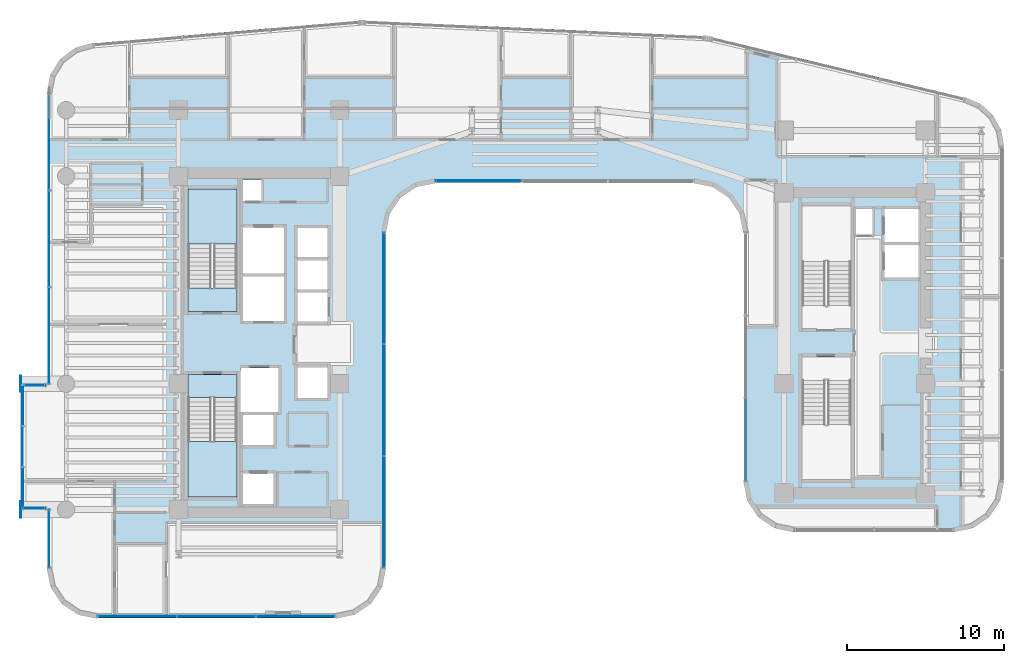
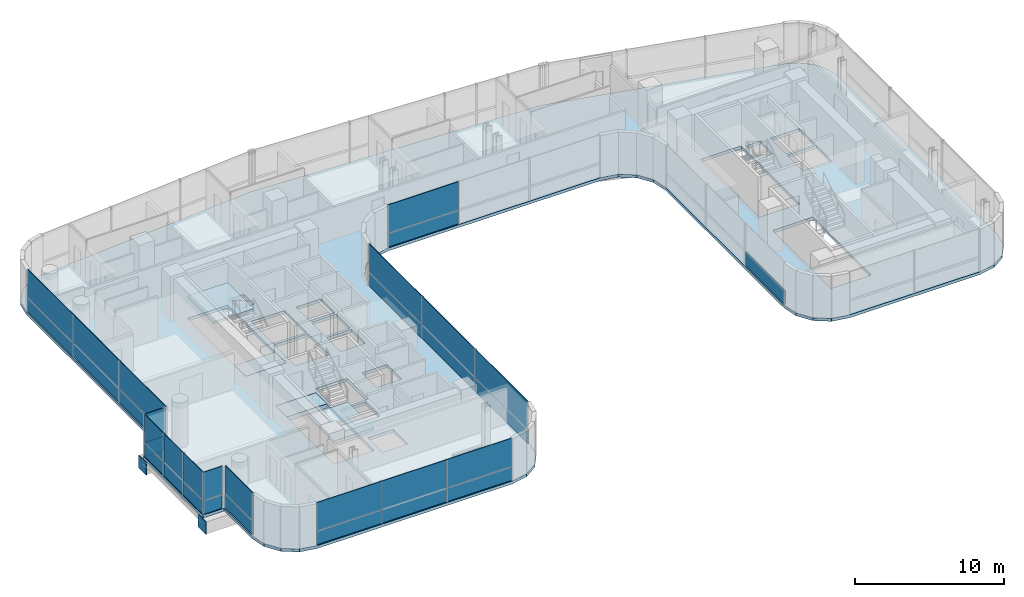
# One storey, part 26 of 37: 31 plates, 5 slabs, 11 elements without a shape of their own.
"""IFC4 building model written with IfcOpenShell, lengths in metres."""

from ifc_helpers import new_model, si_unit, direction, frame, origin, origin_2d, place, context, subcontext, project, spatial, polyline, rectangle, outline, extrude, source, transform, mapped, material, layer, layer_set, type_object, element, aggregate, save


model = new_model("IFC4")

# Units and contexts
model_context = context("Model", 3, precision=1e-05, world=origin(), true_north=direction((0.0, 1.0)))
body_context = subcontext(model_context, "Body", "Model", "MODEL_VIEW")
ifc_project = project(units=[si_unit("LENGTHUNIT", "METRE"), si_unit("AREAUNIT", "SQUARE_METRE"), si_unit("VOLUMEUNIT", "CUBIC_METRE"), si_unit("PLANEANGLEUNIT", "RADIAN"), si_unit("MASSUNIT", "GRAM", prefix="KILO")], contexts=[model_context])

# Site, building, storey
site_placement = place(None, origin())
site = spatial("IfcSite", under=ifc_project, at=site_placement, CompositionType="ELEMENT")
building_placement = place(site_placement, origin())
building = spatial("IfcBuilding", under=site, at=building_placement, Name="Valdorenza Pilgrim Sanctuary Tower", CompositionType="ELEMENT")
storey_placement = place(building_placement, frame((0.0, 0.0, 127.89990234375)))
storey = spatial("IfcBuildingStorey", under=building, at=storey_placement, Name="L32", CompositionType="ELEMENT", Elevation=127.89990234375)

# Slab
ifc_material_1 = material(Name="Concrete C40/50", Category="concrete")
ifc_layer_1 = layer(ifc_material_1, 0.239990234375, Name="Concrete C40/50")
ifc_layer_set_1 = layer_set([ifc_layer_1], Name="Concrete C40/50")
slab_type_1 = type_object("IfcSlabType", Name="SLAB-FLR-220", PredefinedType="FLOOR", material=ifc_layer_set_1)
slab_1_placement = place(storey_placement, frame((0.0, 0.0, -0.239990234375)))
element("IfcSlab", 1, at=slab_1_placement, inside=storey, type_object=slab_type_1, Name="L32 Structural Floor Slab 1", PredefinedType="FLOOR", context=body_context, shape_type="SweptSolid", body=[
    extrude(outline(polyline([(-32.64990234375, -2.60009765625), (-31.0, -2.60009765625), (-31.0, 15.860595703125), (-30.78173828125, 17.022216796875), (-30.156494140625, 18.025390625), (-29.2099609375, 18.733154296875), (-28.071044921875, 19.049072265625), (-11.2080078125, 20.482421875), (-11.0, 20.4931640625), (-10.79150390625, 20.490478515625), (10.6962890625, 19.513916015625), (10.847412109375, 19.50341796875), (10.998046875, 19.485595703125), (11.147705078125, 19.4609375), (11.2958984375, 19.42919921875), (27.344970703125, 15.587646484375), (28.323974609375, 15.17138671875), (29.1123046875, 14.45751953125), (29.623291015625, 13.5244140625), (29.800048828125, 12.4755859375), (29.800048828125, -8.800048828125), (29.556396484375, -10.024658203125), (28.86279296875, -11.062744140625), (27.82470703125, -11.75634765625), (26.60009765625, -12.0), (16.5, -12.0), (15.275390625, -11.75634765625), (14.2373046875, -11.062744140625), (13.543701171875, -10.024658203125), (13.300048828125, -8.800048828125), (13.300048828125, 7.0), (13.056396484375, 8.224609375), (12.36279296875, 9.2626953125), (11.32470703125, 9.956298828125), (10.10009765625, 10.199951171875), (-6.300048828125, 10.199951171875), (-7.524658203125, 9.956298828125), (-8.562744140625, 9.2626953125), (-9.25634765625, 8.224609375), (-9.5, 7.0), (-9.5, -14.300048828125), (-9.74365234375, -15.524658203125), (-10.437255859375, -16.562744140625), (-11.475341796875, -17.25634765625), (-12.699951171875, -17.5), (-27.800048828125, -17.5), (-29.024658203125, -17.25634765625), (-30.062744140625, -16.562744140625), (-30.75634765625, -15.524658203125), (-31.0, -14.300048828125), (-31.0, -10.60009765625), (-32.64990234375, -10.60009765625), (-32.64990234375, -2.60009765625)]), holes=[polyline([(-16.60009765625, -10.25), (-16.60009765625, -8.300048828125), (-18.550048828125, -8.300048828125), (-18.550048828125, -10.25), (-16.60009765625, -10.25)]), polyline([(-22.050048828125, -9.800048828125), (-18.93994140625, -9.800048828125), (-18.93994140625, -3.485107421875), (-18.93994140625, -2.0), (-22.050048828125, -2.0), (-22.050048828125, -3.485107421875), (-22.050048828125, -9.800048828125)]), polyline([(-16.60009765625, -6.5), (-16.60009765625, -4.60009765625), (-18.550048828125, -4.60009765625), (-18.550048828125, -6.5), (-16.60009765625, -6.5)]), polyline([(-18.719970703125, -4.39990234375), (-16.300048828125, -4.39990234375), (-16.300048828125, -1.60009765625), (-18.719970703125, -1.60009765625), (-18.719970703125, -4.39990234375)]), polyline([(-13.179931640625, 1.35009765625), (-13.179931640625, 3.199951171875), (-15.10009765625, 3.199951171875), (-15.10009765625, 1.35009765625), (-13.179931640625, 1.35009765625)]), polyline([(-22.050048828125, 2.0), (-18.93994140625, 2.0), (-18.93994140625, 3.485107421875), (-18.93994140625, 9.800048828125), (-22.050048828125, 9.800048828125), (-22.050048828125, 3.485107421875), (-22.050048828125, 2.0)]), polyline([(-15.949951171875, 1.39990234375), (-15.949951171875, 4.22509765625), (-18.550048828125, 4.22509765625), (-18.550048828125, 1.39990234375), (-15.949951171875, 1.39990234375)]), polyline([(-18.550048828125, 4.425048828125), (-15.949951171875, 4.425048828125), (-15.949951171875, 7.35009765625), (-18.550048828125, 7.35009765625), (-18.550048828125, 4.425048828125)]), polyline([(-17.360107421875, 9.030029296875), (-17.360107421875, 10.35009765625), (-18.570068359375, 10.35009765625), (-18.570068359375, 9.030029296875), (-17.360107421875, 9.030029296875)]), polyline([(17.0, -8.699951171875), (20.110107421875, -8.699951171875), (20.110107421875, -2.385009765625), (20.110107421875, -0.89990234375), (17.0, -0.89990234375), (17.0, -2.385009765625), (17.0, -8.699951171875)]), polyline([(-13.179931640625, -3.5), (-13.179931640625, -1.550048828125), (-15.10009765625, -1.550048828125), (-15.10009765625, -3.5), (-13.179931640625, -3.5)]), polyline([(17.0, 0.89990234375), (20.110107421875, 0.89990234375), (20.110107421875, 2.385009765625), (20.110107421875, 8.699951171875), (17.0, 8.699951171875), (17.0, 2.385009765625), (17.0, 0.89990234375)]), polyline([(-13.179931640625, 3.39990234375), (-13.179931640625, 5.25), (-15.10009765625, 5.25), (-15.10009765625, 3.39990234375), (-13.179931640625, 3.39990234375)]), polyline([(22.25, 4.14990234375), (24.47998046875, 4.14990234375), (24.47998046875, 6.22509765625), (22.25, 6.22509765625), (22.25, 4.14990234375)]), polyline([(-13.179931640625, 5.449951171875), (-13.179931640625, 7.300048828125), (-15.10009765625, 7.300048828125), (-15.10009765625, 5.449951171875), (-13.179931640625, 5.449951171875)]), polyline([(22.25, 6.425048828125), (24.47998046875, 6.425048828125), (24.47998046875, 8.5), (22.25, 8.5), (22.25, 6.425048828125)]), polyline([(20.409912109375, 6.860107421875), (21.489990234375, 6.860107421875), (21.489990234375, 8.52001953125), (20.409912109375, 8.52001953125), (20.409912109375, 6.860107421875)])]), origin(), (0.0, 0.0, 1.0), 0.239990234375),
])

# Stair, slab
stair_type = type_object("IfcStairType", Name="STR-DOG-CORE", PredefinedType="HALF_TURN_STAIR", material=ifc_material_1)
stair_1_placement = place(storey_placement, origin())
stair_1 = element("IfcStair", 2, at=stair_1_placement, inside=storey, type_object=stair_type, Name="L32 ST-A1", PredefinedType="HALF_TURN_STAIR")
ifc_layer_2 = layer(ifc_material_1, 0.199951171875, Name="Concrete C40/50")
ifc_layer_set_2 = layer_set([ifc_layer_2], Name="Concrete C40/50")
slab_type_2 = type_object("IfcSlabType", Name="SLAB-STL-200", PredefinedType="LANDING", material=ifc_layer_set_2)
slab_2_placement = place(storey_placement, frame((0.0, 0.0, 1.650146484375)))
slab_2 = element("IfcSlab", 3, at=slab_2_placement, type_object=slab_type_2, Name="ST-A1 landing 1", PredefinedType="LANDING", context=body_context, shape_type="SweptSolid", body=[
    extrude(outline(polyline([(-18.93994140625, 6.280029296875), (-18.93994140625, 9.800048828125), (-22.050048828125, 9.800048828125), (-22.050048828125, 6.280029296875), (-18.93994140625, 6.280029296875)])), origin(), (0.0, 0.0, 1.0), 0.199951171875),
])
aggregate(stair_1, [slab_2])

stair_2_placement = place(storey_placement, origin())
stair_2 = element("IfcStair", 4, at=stair_2_placement, inside=storey, type_object=stair_type, Name="L32 ST-A2", PredefinedType="HALF_TURN_STAIR")
slab_3_placement = place(storey_placement, frame((0.0, 0.0, 1.650146484375)))
slab_3 = element("IfcSlab", 5, at=slab_3_placement, type_object=slab_type_2, Name="ST-A2 landing 1", PredefinedType="LANDING", context=body_context, shape_type="SweptSolid", body=[
    extrude(outline(polyline([(-22.050048828125, -6.280029296875), (-22.050048828125, -9.800048828125), (-18.93994140625, -9.800048828125), (-18.93994140625, -6.280029296875), (-22.050048828125, -6.280029296875)])), origin(), (0.0, 0.0, 1.0), 0.199951171875),
])
aggregate(stair_2, [slab_3])

# Slabs
ifc_material_2 = material(Name="Concrete C50/60", Category="concrete")
ifc_layer_3 = layer(ifc_material_2, 0.39990234375, Name="Concrete C50/60")
ifc_layer_set_3 = layer_set([ifc_layer_3], Name="Concrete C50/60")
slab_type_3 = type_object("IfcSlabType", Name="SLAB-TRF-400", PredefinedType="FLOOR", material=ifc_layer_set_3)
slab_4_placement = place(storey_placement, frame((0.0, 0.0, -0.35986328125)))
element("IfcSlab", 6, at=slab_4_placement, inside=storey, type_object=slab_type_3, Name="L32 ST-A1 Structural Stair Landing Bearing Slab", PredefinedType="FLOOR", context=body_context, shape_type="SweptSolid", body=[
    extrude(outline(polyline([(-22.050048828125, 2.0), (-18.93994140625, 2.0), (-18.93994140625, 3.485107421875), (-22.050048828125, 3.485107421875), (-22.050048828125, 2.0)])), origin(), (0.0, 0.0, 1.0), 0.35986328125),
])
slab_5_placement = place(storey_placement, frame((0.0, 0.0, -0.35986328125)))
element("IfcSlab", 7, at=slab_5_placement, inside=storey, type_object=slab_type_3, Name="L32 ST-A2 Structural Stair Landing Bearing Slab", PredefinedType="FLOOR", context=body_context, shape_type="SweptSolid", body=[
    extrude(outline(polyline([(-22.050048828125, -3.485107421875), (-18.93994140625, -3.485107421875), (-18.93994140625, -2.0), (-22.050048828125, -2.0), (-22.050048828125, -3.485107421875)])), origin(), (0.0, 0.0, 1.0), 0.35986328125),
])

# Plates
ifc_material_3 = material(Name="Steel ASTM A572 Grade 42", Category="steel")
ifc_layer_4 = layer(ifc_material_3, 0.06005859375, Name="Steel ASTM A572 Grade 42")
ifc_layer_set_4 = layer_set([ifc_layer_4], Name="Steel ASTM A572 Grade 42")
plate_type_1 = type_object("IfcPlateType", Name="PLT-CAP-60", PredefinedType="SHEET", material=ifc_layer_set_4)
shared_shape_1 = source(origin(), body_context, "Body", "SweptSolid", [
    extrude(rectangle(XDim=0.06005859375, YDim=1.0400390625, at=origin_2d()), origin(), (0.0, 0.0, 1.0), 1.0400390625),
])
for number, where, z_axis, x_axis, name in (
    (8, (-32.679931640625, -2.60009765625, -1.260009765625), (0.0, 0.0, 1.0), (1.0, 0.0, 0.0), "L32 BOX-WA-L32 Cantilever Tip End Cap N"),
    (9, (-32.679931640625, -10.60009765625, -1.260009765625), (0.0, 0.0, 1.0), (1.0, 0.0, 0.0), "L32 BOX-WA-L32 Cantilever Tip End Cap S"),
):
    element("IfcPlate", number, at=place(storey_placement, frame(where, z_axis=z_axis, x_axis=x_axis)), inside=storey, type_object=plate_type_1, Name=name, PredefinedType="SHEET", context=body_context, shape_type="MappedRepresentation", body=[
        mapped(shared_shape_1, transform((0.0, 0.0, 0.0), x_axis=(1.0, 0.0, 0.0), y_axis=(0.0, 1.0, 0.0), z_axis=(0.0, 0.0, 1.0), scale=1.0)),
    ])

# Curtain wall, plates
ifc_material_4 = material(Name="Curtain-wall IGU glazing", Category="glass")
curtain_wall_type_1 = type_object("IfcCurtainWallType", Name="CW-SYS-02", PredefinedType="NOTDEFINED", material=ifc_material_4)
curtain_wall_1_placement = place(storey_placement, origin())
curtain_wall_1 = element("IfcCurtainWall", 10, at=curtain_wall_1_placement, inside=storey, type_object=curtain_wall_type_1, Name="L32 Curtain Wall CW-L32-1-36", PredefinedType="NOTDEFINED")
ifc_material_5 = material(Name="Honed travertine limestone", Category="masonry")
ifc_layer_5 = layer(ifc_material_5, 0.050048828125, Name="Honed travertine limestone")
ifc_layer_set_5 = layer_set([ifc_layer_5], Name="Honed travertine limestone")
plate_type_2 = type_object("IfcPlateType", Name="CW-SPN-TRV", PredefinedType="USERDEFINED", material=ifc_layer_set_5)
shared_shape_2 = source(origin(), body_context, "Body", "SweptSolid", [
    extrude(rectangle(XDim=5.453857421875, YDim=0.06005859375, at=origin_2d()), origin(), (0.0, 0.0, 1.0), 1.10009765625),
])
plate_1_placement = place(storey_placement, frame((-3.573974609375, 10.31005859375, 0.010009765625), z_axis=(0.0, 0.0, 1.0), x_axis=(-1.0, 0.0, 0.0)))
plate_1 = element("IfcPlate", 11, at=plate_1_placement, type_object=plate_type_2, Name="CW-L32-1-36 Travertine Spandrel 3", ObjectType="SPANDREL", PredefinedType="USERDEFINED", context=body_context, shape_type="MappedRepresentation", body=[
    mapped(shared_shape_2, transform((0.0, 0.0, 0.0), x_axis=(1.0, 0.0, 0.0), y_axis=(0.0, 1.0, 0.0), z_axis=(0.0, 0.0, 1.0), scale=1.0)),
])
ifc_material_6 = material(Name="Ceramic-fritted low-E IGU glazing", Category="glass")
ifc_layer_6 = layer(ifc_material_6, 0.035888671875, Name="Ceramic-fritted low-E IGU glazing")
ifc_layer_set_6 = layer_set([ifc_layer_6], Name="Ceramic-fritted low-E IGU glazing")
plate_type_3 = type_object("IfcPlateType", Name="CW-GLZ-IGU", PredefinedType="USERDEFINED", material=ifc_layer_set_6)
shared_shape_3 = source(origin(), body_context, "Body", "SweptSolid", [
    extrude(rectangle(XDim=5.453857421875, YDim=0.050048828125, at=origin_2d()), origin(), (0.0, 0.0, 1.0), 2.320068359375),
])
plate_2_placement = place(storey_placement, frame((-3.573974609375, 10.31005859375, 1.1298828125), z_axis=(0.0, 0.0, 1.0), x_axis=(-1.0, 0.0, 0.0)))
plate_2 = element("IfcPlate", 12, at=plate_2_placement, type_object=plate_type_3, Name="CW-L32-1-36 Facade Panel 3", ObjectType="GLAZING", PredefinedType="USERDEFINED", context=body_context, shape_type="MappedRepresentation", body=[
    mapped(shared_shape_3, transform((0.0, 0.0, 0.0), x_axis=(1.0, 0.0, 0.0), y_axis=(0.0, 1.0, 0.0), z_axis=(0.0, 0.0, 1.0), scale=1.0)),
])
aggregate(curtain_wall_1, [plate_1, plate_2])

# Curtain wall, plate
curtain_wall_2_placement = place(storey_placement, origin())
curtain_wall_2 = element("IfcCurtainWall", 13, at=curtain_wall_2_placement, inside=storey, type_object=curtain_wall_type_1, Name="L32 Curtain Wall CW-L32-BOX-WA-L32-S", PredefinedType="NOTDEFINED")
shared_shape_4 = source(origin(), body_context, "Body", "SweptSolid", [
    extrude(rectangle(XDim=1.43994140625, YDim=0.06005859375, at=origin_2d()), origin(), (0.0, 0.0, 1.0), 1.10009765625),
])
plate_3_placement = place(storey_placement, frame((-31.840087890625, -10.52001953125, 0.010009765625), z_axis=(0.0, 0.0, 1.0), x_axis=(-1.0, 0.0, 0.0)))
plate_3 = element("IfcPlate", 14, at=plate_3_placement, type_object=plate_type_2, Name="CW-L32-BOX-WA-L32-S Travertine Spandrel 1", ObjectType="SPANDREL", PredefinedType="USERDEFINED", context=body_context, shape_type="MappedRepresentation", body=[
    mapped(shared_shape_4, transform((0.0, 0.0, 0.0), x_axis=(1.0, 0.0, 0.0), y_axis=(0.0, 1.0, 0.0), z_axis=(0.0, 0.0, 1.0), scale=1.0)),
])

curtain_wall_3_placement = place(storey_placement, origin())
curtain_wall_3 = element("IfcCurtainWall", 15, at=curtain_wall_3_placement, inside=storey, type_object=curtain_wall_type_1, Name="L32 Curtain Wall CW-L32-BOX-WA-L32-N", PredefinedType="NOTDEFINED")
plate_4_placement = place(storey_placement, frame((-31.840087890625, -2.679931640625, 0.010009765625), z_axis=(0.0, 0.0, 1.0), x_axis=(1.0, 0.0, 0.0)))
plate_4 = element("IfcPlate", 16, at=plate_4_placement, type_object=plate_type_2, Name="CW-L32-BOX-WA-L32-N Travertine Spandrel 1", ObjectType="SPANDREL", PredefinedType="USERDEFINED", context=body_context, shape_type="MappedRepresentation", body=[
    mapped(shared_shape_4, transform((0.0, 0.0, 0.0), x_axis=(1.0, 0.0, 0.0), y_axis=(0.0, 1.0, 0.0), z_axis=(0.0, 0.0, 1.0), scale=1.0)),
])

# Plate
shared_shape_5 = source(origin(), body_context, "Body", "SweptSolid", [
    extrude(rectangle(XDim=1.43994140625, YDim=0.050048828125, at=origin_2d()), origin(), (0.0, 0.0, 1.0), 2.320068359375),
])
plate_5_placement = place(storey_placement, frame((-31.840087890625, -10.52001953125, 1.1298828125), z_axis=(0.0, 0.0, 1.0), x_axis=(-1.0, 0.0, 0.0)))
plate_5 = element("IfcPlate", 17, at=plate_5_placement, type_object=plate_type_3, Name="CW-L32-BOX-WA-L32-S Facade Panel 1", ObjectType="GLAZING", PredefinedType="USERDEFINED", context=body_context, shape_type="MappedRepresentation", body=[
    mapped(shared_shape_5, transform((0.0, 0.0, 0.0), x_axis=(1.0, 0.0, 0.0), y_axis=(0.0, 1.0, 0.0), z_axis=(0.0, 0.0, 1.0), scale=1.0)),
])

aggregate(curtain_wall_2, [plate_3, plate_5])

plate_6_placement = place(storey_placement, frame((-31.840087890625, -2.679931640625, 1.1298828125), z_axis=(0.0, 0.0, 1.0), x_axis=(1.0, 0.0, 0.0)))
plate_6 = element("IfcPlate", 18, at=plate_6_placement, type_object=plate_type_3, Name="CW-L32-BOX-WA-L32-N Facade Panel 1", ObjectType="GLAZING", PredefinedType="USERDEFINED", context=body_context, shape_type="MappedRepresentation", body=[
    mapped(shared_shape_5, transform((0.0, 0.0, 0.0), x_axis=(1.0, 0.0, 0.0), y_axis=(0.0, 1.0, 0.0), z_axis=(0.0, 0.0, 1.0), scale=1.0)),
])

aggregate(curtain_wall_3, [plate_4, plate_6])

# Curtain wall, plates
curtain_wall_4_placement = place(storey_placement, origin())
curtain_wall_4 = element("IfcCurtainWall", 19, at=curtain_wall_4_placement, inside=storey, type_object=curtain_wall_type_1, Name="L32 Curtain Wall CW-L32-BOX-WA-L32-F", PredefinedType="NOTDEFINED")
shared_shape_6 = source(origin(), body_context, "Body", "SweptSolid", [
    extrude(rectangle(XDim=2.59326171875, YDim=0.06005859375, at=origin_2d()), origin(), (0.0, 0.0, 1.0), 1.10009765625),
])
plate_7_placement = place(storey_placement, frame((-32.570068359375, -9.21337890625, 0.010009765625), z_axis=(0.0, 0.0, 1.0), x_axis=(0.0, 1.0, 0.0)))
plate_7 = element("IfcPlate", 20, at=plate_7_placement, type_object=plate_type_2, Name="CW-L32-BOX-WA-L32-F Travertine Spandrel 1", ObjectType="SPANDREL", PredefinedType="USERDEFINED", context=body_context, shape_type="MappedRepresentation", body=[
    mapped(shared_shape_6, transform((0.0, 0.0, 0.0), x_axis=(1.0, 0.0, 0.0), y_axis=(0.0, 1.0, 0.0), z_axis=(0.0, 0.0, 1.0), scale=1.0)),
])
plate_8_placement = place(storey_placement, frame((-32.570068359375, -3.98681640625, 0.010009765625), z_axis=(0.0, 0.0, 1.0), x_axis=(0.0, 1.0, 0.0)))
plate_8 = element("IfcPlate", 21, at=plate_8_placement, type_object=plate_type_2, Name="CW-L32-BOX-WA-L32-F Travertine Spandrel 3", ObjectType="SPANDREL", PredefinedType="USERDEFINED", context=body_context, shape_type="MappedRepresentation", body=[
    mapped(shared_shape_6, transform((0.0, 0.0, 0.0), x_axis=(1.0, 0.0, 0.0), y_axis=(0.0, 1.0, 0.0), z_axis=(0.0, 0.0, 1.0), scale=1.0)),
])
shared_shape_7 = source(origin(), body_context, "Body", "SweptSolid", [
    extrude(rectangle(XDim=2.59326171875, YDim=0.050048828125, at=origin_2d()), origin(), (0.0, 0.0, 1.0), 2.320068359375),
])
plate_9_placement = place(storey_placement, frame((-32.570068359375, -9.21337890625, 1.1298828125), z_axis=(0.0, 0.0, 1.0), x_axis=(0.0, 1.0, 0.0)))
plate_9 = element("IfcPlate", 22, at=plate_9_placement, type_object=plate_type_3, Name="CW-L32-BOX-WA-L32-F Facade Panel 1", ObjectType="GLAZING", PredefinedType="USERDEFINED", context=body_context, shape_type="MappedRepresentation", body=[
    mapped(shared_shape_7, transform((0.0, 0.0, 0.0), x_axis=(1.0, 0.0, 0.0), y_axis=(0.0, 1.0, 0.0), z_axis=(0.0, 0.0, 1.0), scale=1.0)),
])
plate_10_placement = place(storey_placement, frame((-32.570068359375, -3.98681640625, 1.1298828125), z_axis=(0.0, 0.0, 1.0), x_axis=(0.0, 1.0, 0.0)))
plate_10 = element("IfcPlate", 23, at=plate_10_placement, type_object=plate_type_3, Name="CW-L32-BOX-WA-L32-F Facade Panel 3", ObjectType="GLAZING", PredefinedType="USERDEFINED", context=body_context, shape_type="MappedRepresentation", body=[
    mapped(shared_shape_7, transform((0.0, 0.0, 0.0), x_axis=(1.0, 0.0, 0.0), y_axis=(0.0, 1.0, 0.0), z_axis=(0.0, 0.0, 1.0), scale=1.0)),
])
shared_shape_8 = source(origin(), body_context, "Body", "SweptSolid", [
    extrude(rectangle(XDim=2.59326171875, YDim=0.050048828125, at=origin_2d()), origin(), (0.0, 0.0, 1.0), 3.43994140625),
])
plate_11_placement = place(storey_placement, frame((-32.570068359375, -6.60009765625, 0.010009765625), z_axis=(0.0, 0.0, 1.0), x_axis=(0.0, 1.0, 0.0)))
plate_11 = element("IfcPlate", 24, at=plate_11_placement, type_object=plate_type_3, Name="CW-L32-BOX-WA-L32-F Full-Height Facade Panel 2", ObjectType="GLAZING", PredefinedType="USERDEFINED", context=body_context, shape_type="MappedRepresentation", body=[
    mapped(shared_shape_8, transform((0.0, 0.0, 0.0), x_axis=(1.0, 0.0, 0.0), y_axis=(0.0, 1.0, 0.0), z_axis=(0.0, 0.0, 1.0), scale=1.0)),
])
aggregate(curtain_wall_4, [plate_7, plate_9, plate_11, plate_8, plate_10])

# Curtain wall, plate
curtain_wall_type_2 = type_object("IfcCurtainWallType", Name="CW-SYS-03", PredefinedType="NOTDEFINED", material=ifc_material_4)
curtain_wall_5_placement = place(storey_placement, origin())
curtain_wall_5 = element("IfcCurtainWall", 25, at=curtain_wall_5_placement, inside=storey, type_object=curtain_wall_type_2, Name="L32 Curtain Wall CW-L32-1-31", PredefinedType="NOTDEFINED")
shared_shape_9 = source(origin(), body_context, "Body", "SweptSolid", [
    extrude(rectangle(XDim=5.24658203125, YDim=0.06005859375, at=origin_2d()), origin(), (0.0, 0.0, 1.0), 1.10009765625),
])
plate_12_placement = place(storey_placement, frame((13.409912109375, -6.156005859375, 0.010009765625), z_axis=(0.0, 0.0, 1.0), x_axis=(0.0, 1.0, 0.0)))
plate_12 = element("IfcPlate", 26, at=plate_12_placement, type_object=plate_type_2, Name="CW-L32-1-31 Travertine Spandrel 1", ObjectType="SPANDREL", PredefinedType="USERDEFINED", context=body_context, shape_type="MappedRepresentation", body=[
    mapped(shared_shape_9, transform((0.0, 0.0, 0.0), x_axis=(1.0, 0.0, 0.0), y_axis=(0.0, 1.0, 0.0), z_axis=(0.0, 0.0, 1.0), scale=1.0)),
])
aggregate(curtain_wall_5, [plate_12])

# Curtain wall, plates
curtain_wall_6_placement = place(storey_placement, origin())
curtain_wall_6 = element("IfcCurtainWall", 27, at=curtain_wall_6_placement, inside=storey, type_object=curtain_wall_type_1, Name="L32 Curtain Wall CW-L32-1-41", PredefinedType="NOTDEFINED")
shared_shape_10 = source(origin(), body_context, "Body", "SweptSolid", [
    extrude(rectangle(XDim=7.080078125, YDim=0.06005859375, at=origin_2d()), origin(), (0.0, 0.0, 1.0), 1.10009765625),
])
plate_13_placement = place(storey_placement, frame((-9.610107421875, 3.460693359375, 0.010009765625), z_axis=(0.0, 0.0, 1.0), x_axis=(0.0, -1.0, 0.0)))
plate_13 = element("IfcPlate", 28, at=plate_13_placement, type_object=plate_type_2, Name="CW-L32-1-41 Travertine Spandrel 1", ObjectType="SPANDREL", PredefinedType="USERDEFINED", context=body_context, shape_type="MappedRepresentation", body=[
    mapped(shared_shape_10, transform((0.0, 0.0, 0.0), x_axis=(1.0, 0.0, 0.0), y_axis=(0.0, 1.0, 0.0), z_axis=(0.0, 0.0, 1.0), scale=1.0)),
])
plate_14_placement = place(storey_placement, frame((-9.610107421875, -10.7392578125, 0.010009765625), z_axis=(0.0, 0.0, 1.0), x_axis=(0.0, -1.0, 0.0)))
plate_14 = element("IfcPlate", 29, at=plate_14_placement, type_object=plate_type_2, Name="CW-L32-1-41 Travertine Spandrel 3", ObjectType="SPANDREL", PredefinedType="USERDEFINED", context=body_context, shape_type="MappedRepresentation", body=[
    mapped(shared_shape_10, transform((0.0, 0.0, 0.0), x_axis=(1.0, 0.0, 0.0), y_axis=(0.0, 1.0, 0.0), z_axis=(0.0, 0.0, 1.0), scale=1.0)),
])
shared_shape_11 = source(origin(), body_context, "Body", "SweptSolid", [
    extrude(rectangle(XDim=7.080078125, YDim=0.050048828125, at=origin_2d()), origin(), (0.0, 0.0, 1.0), 2.320068359375),
])
plate_15_placement = place(storey_placement, frame((-9.610107421875, 3.460693359375, 1.1298828125), z_axis=(0.0, 0.0, 1.0), x_axis=(0.0, -1.0, 0.0)))
plate_15 = element("IfcPlate", 30, at=plate_15_placement, type_object=plate_type_3, Name="CW-L32-1-41 Facade Panel 1", ObjectType="GLAZING", PredefinedType="USERDEFINED", context=body_context, shape_type="MappedRepresentation", body=[
    mapped(shared_shape_11, transform((0.0, 0.0, 0.0), x_axis=(1.0, 0.0, 0.0), y_axis=(0.0, 1.0, 0.0), z_axis=(0.0, 0.0, 1.0), scale=1.0)),
])
plate_16_placement = place(storey_placement, frame((-9.610107421875, -10.7392578125, 1.1298828125), z_axis=(0.0, 0.0, 1.0), x_axis=(0.0, -1.0, 0.0)))
plate_16 = element("IfcPlate", 31, at=plate_16_placement, type_object=plate_type_3, Name="CW-L32-1-41 Facade Panel 3", ObjectType="GLAZING", PredefinedType="USERDEFINED", context=body_context, shape_type="MappedRepresentation", body=[
    mapped(shared_shape_11, transform((0.0, 0.0, 0.0), x_axis=(1.0, 0.0, 0.0), y_axis=(0.0, 1.0, 0.0), z_axis=(0.0, 0.0, 1.0), scale=1.0)),
])
shared_shape_12 = source(origin(), body_context, "Body", "SweptSolid", [
    extrude(rectangle(XDim=7.080078125, YDim=0.050048828125, at=origin_2d()), origin(), (0.0, 0.0, 1.0), 3.43994140625),
])
plate_17_placement = place(storey_placement, frame((-9.610107421875, -3.63916015625, 0.010009765625), z_axis=(0.0, 0.0, 1.0), x_axis=(0.0, -1.0, 0.0)))
plate_17 = element("IfcPlate", 32, at=plate_17_placement, type_object=plate_type_3, Name="CW-L32-1-41 Full-Height Facade Panel 2", ObjectType="GLAZING", PredefinedType="USERDEFINED", context=body_context, shape_type="MappedRepresentation", body=[
    mapped(shared_shape_12, transform((0.0, 0.0, 0.0), x_axis=(1.0, 0.0, 0.0), y_axis=(0.0, 1.0, 0.0), z_axis=(0.0, 0.0, 1.0), scale=1.0)),
])
aggregate(curtain_wall_6, [plate_13, plate_15, plate_17, plate_14, plate_16])

curtain_wall_7_placement = place(storey_placement, origin())
curtain_wall_7 = element("IfcCurtainWall", 33, at=curtain_wall_7_placement, inside=storey, type_object=curtain_wall_type_1, Name="L32 Curtain Wall CW-L32-1-46", PredefinedType="NOTDEFINED")
shared_shape_13 = source(origin(), body_context, "Body", "SweptSolid", [
    extrude(rectangle(XDim=5.006103515625, YDim=0.06005859375, at=origin_2d()), origin(), (0.0, 0.0, 1.0), 1.10009765625),
])
plate_18_placement = place(storey_placement, frame((-15.223876953125, -17.389892578125, 0.010009765625), z_axis=(0.0, 0.0, 1.0), x_axis=(-1.0, 0.0, 0.0)))
plate_18 = element("IfcPlate", 34, at=plate_18_placement, type_object=plate_type_2, Name="CW-L32-1-46 Travertine Spandrel 1", ObjectType="SPANDREL", PredefinedType="USERDEFINED", context=body_context, shape_type="MappedRepresentation", body=[
    mapped(shared_shape_13, transform((0.0, 0.0, 0.0), x_axis=(1.0, 0.0, 0.0), y_axis=(0.0, 1.0, 0.0), z_axis=(0.0, 0.0, 1.0), scale=1.0)),
])
plate_19_placement = place(storey_placement, frame((-25.276123046875, -17.389892578125, 0.010009765625), z_axis=(0.0, 0.0, 1.0), x_axis=(-1.0, 0.0, 0.0)))
plate_19 = element("IfcPlate", 35, at=plate_19_placement, type_object=plate_type_2, Name="CW-L32-1-46 Travertine Spandrel 3", ObjectType="SPANDREL", PredefinedType="USERDEFINED", context=body_context, shape_type="MappedRepresentation", body=[
    mapped(shared_shape_13, transform((0.0, 0.0, 0.0), x_axis=(1.0, 0.0, 0.0), y_axis=(0.0, 1.0, 0.0), z_axis=(0.0, 0.0, 1.0), scale=1.0)),
])
shared_shape_14 = source(origin(), body_context, "Body", "SweptSolid", [
    extrude(rectangle(XDim=5.006103515625, YDim=0.050048828125, at=origin_2d()), origin(), (0.0, 0.0, 1.0), 2.320068359375),
])
plate_20_placement = place(storey_placement, frame((-15.223876953125, -17.389892578125, 1.1298828125), z_axis=(0.0, 0.0, 1.0), x_axis=(-1.0, 0.0, 0.0)))
plate_20 = element("IfcPlate", 36, at=plate_20_placement, type_object=plate_type_3, Name="CW-L32-1-46 Facade Panel 1", ObjectType="GLAZING", PredefinedType="USERDEFINED", context=body_context, shape_type="MappedRepresentation", body=[
    mapped(shared_shape_14, transform((0.0, 0.0, 0.0), x_axis=(1.0, 0.0, 0.0), y_axis=(0.0, 1.0, 0.0), z_axis=(0.0, 0.0, 1.0), scale=1.0)),
])
plate_21_placement = place(storey_placement, frame((-25.276123046875, -17.389892578125, 1.1298828125), z_axis=(0.0, 0.0, 1.0), x_axis=(-1.0, 0.0, 0.0)))
plate_21 = element("IfcPlate", 37, at=plate_21_placement, type_object=plate_type_3, Name="CW-L32-1-46 Facade Panel 3", ObjectType="GLAZING", PredefinedType="USERDEFINED", context=body_context, shape_type="MappedRepresentation", body=[
    mapped(shared_shape_14, transform((0.0, 0.0, 0.0), x_axis=(1.0, 0.0, 0.0), y_axis=(0.0, 1.0, 0.0), z_axis=(0.0, 0.0, 1.0), scale=1.0)),
])
shared_shape_15 = source(origin(), body_context, "Body", "SweptSolid", [
    extrude(rectangle(XDim=5.006103515625, YDim=0.050048828125, at=origin_2d()), origin(), (0.0, 0.0, 1.0), 3.43994140625),
])
plate_22_placement = place(storey_placement, frame((-20.25, -17.389892578125, 0.010009765625), z_axis=(0.0, 0.0, 1.0), x_axis=(-1.0, 0.0, 0.0)))
plate_22 = element("IfcPlate", 38, at=plate_22_placement, type_object=plate_type_3, Name="CW-L32-1-46 Full-Height Facade Panel 2", ObjectType="GLAZING", PredefinedType="USERDEFINED", context=body_context, shape_type="MappedRepresentation", body=[
    mapped(shared_shape_15, transform((0.0, 0.0, 0.0), x_axis=(1.0, 0.0, 0.0), y_axis=(0.0, 1.0, 0.0), z_axis=(0.0, 0.0, 1.0), scale=1.0)),
])
aggregate(curtain_wall_7, [plate_18, plate_20, plate_22, plate_19, plate_21])

curtain_wall_8_placement = place(storey_placement, origin())
curtain_wall_8 = element("IfcCurtainWall", 39, at=curtain_wall_8_placement, inside=storey, type_object=curtain_wall_type_1, Name="L32 Curtain Wall CW-L32-1-1S1", PredefinedType="NOTDEFINED")
shared_shape_16 = source(origin(), body_context, "Body", "SweptSolid", [
    extrude(rectangle(XDim=3.669189453125, YDim=0.06005859375, at=origin_2d()), origin(), (0.0, 0.0, 1.0), 1.10009765625),
])
plate_23_placement = place(storey_placement, frame((-30.889892578125, -12.444580078125, 0.010009765625), z_axis=(0.0, 0.0, 1.0), x_axis=(0.0, 1.0, 0.0)))
plate_23 = element("IfcPlate", 40, at=plate_23_placement, type_object=plate_type_2, Name="CW-L32-1-1S1 Travertine Spandrel 1", ObjectType="SPANDREL", PredefinedType="USERDEFINED", context=body_context, shape_type="MappedRepresentation", body=[
    mapped(shared_shape_16, transform((0.0, 0.0, 0.0), x_axis=(1.0, 0.0, 0.0), y_axis=(0.0, 1.0, 0.0), z_axis=(0.0, 0.0, 1.0), scale=1.0)),
])
shared_shape_17 = source(origin(), body_context, "Body", "SweptSolid", [
    extrude(rectangle(XDim=3.669189453125, YDim=0.050048828125, at=origin_2d()), origin(), (0.0, 0.0, 1.0), 2.320068359375),
])
plate_24_placement = place(storey_placement, frame((-30.889892578125, -12.444580078125, 1.1298828125), z_axis=(0.0, 0.0, 1.0), x_axis=(0.0, 1.0, 0.0)))
plate_24 = element("IfcPlate", 41, at=plate_24_placement, type_object=plate_type_3, Name="CW-L32-1-1S1 Facade Panel 1", ObjectType="GLAZING", PredefinedType="USERDEFINED", context=body_context, shape_type="MappedRepresentation", body=[
    mapped(shared_shape_17, transform((0.0, 0.0, 0.0), x_axis=(1.0, 0.0, 0.0), y_axis=(0.0, 1.0, 0.0), z_axis=(0.0, 0.0, 1.0), scale=1.0)),
])
aggregate(curtain_wall_8, [plate_23, plate_24])

curtain_wall_9_placement = place(storey_placement, origin())
curtain_wall_9 = element("IfcCurtainWall", 42, at=curtain_wall_9_placement, inside=storey, type_object=curtain_wall_type_1, Name="L32 Curtain Wall CW-L32-1-1S2", PredefinedType="NOTDEFINED")
shared_shape_18 = source(origin(), body_context, "Body", "SweptSolid", [
    extrude(rectangle(XDim=6.130126953125, YDim=0.06005859375, at=origin_2d()), origin(), (0.0, 0.0, 1.0), 1.10009765625),
])
plate_25_placement = place(storey_placement, frame((-30.889892578125, 0.47509765625, 0.010009765625), z_axis=(0.0, 0.0, 1.0), x_axis=(0.0, 1.0, 0.0)))
plate_25 = element("IfcPlate", 43, at=plate_25_placement, type_object=plate_type_2, Name="CW-L32-1-1S2 Travertine Spandrel 1", ObjectType="SPANDREL", PredefinedType="USERDEFINED", context=body_context, shape_type="MappedRepresentation", body=[
    mapped(shared_shape_18, transform((0.0, 0.0, 0.0), x_axis=(1.0, 0.0, 0.0), y_axis=(0.0, 1.0, 0.0), z_axis=(0.0, 0.0, 1.0), scale=1.0)),
])
plate_26_placement = place(storey_placement, frame((-30.889892578125, 12.775390625, 0.010009765625), z_axis=(0.0, 0.0, 1.0), x_axis=(0.0, 1.0, 0.0)))
plate_26 = element("IfcPlate", 44, at=plate_26_placement, type_object=plate_type_2, Name="CW-L32-1-1S2 Travertine Spandrel 3", ObjectType="SPANDREL", PredefinedType="USERDEFINED", context=body_context, shape_type="MappedRepresentation", body=[
    mapped(shared_shape_18, transform((0.0, 0.0, 0.0), x_axis=(1.0, 0.0, 0.0), y_axis=(0.0, 1.0, 0.0), z_axis=(0.0, 0.0, 1.0), scale=1.0)),
])
shared_shape_19 = source(origin(), body_context, "Body", "SweptSolid", [
    extrude(rectangle(XDim=6.130126953125, YDim=0.050048828125, at=origin_2d()), origin(), (0.0, 0.0, 1.0), 2.320068359375),
])
plate_27_placement = place(storey_placement, frame((-30.889892578125, 0.47509765625, 1.1298828125), z_axis=(0.0, 0.0, 1.0), x_axis=(0.0, 1.0, 0.0)))
plate_27 = element("IfcPlate", 45, at=plate_27_placement, type_object=plate_type_3, Name="CW-L32-1-1S2 Facade Panel 1", ObjectType="GLAZING", PredefinedType="USERDEFINED", context=body_context, shape_type="MappedRepresentation", body=[
    mapped(shared_shape_19, transform((0.0, 0.0, 0.0), x_axis=(1.0, 0.0, 0.0), y_axis=(0.0, 1.0, 0.0), z_axis=(0.0, 0.0, 1.0), scale=1.0)),
])
plate_28_placement = place(storey_placement, frame((-30.889892578125, 12.775390625, 1.1298828125), z_axis=(0.0, 0.0, 1.0), x_axis=(0.0, 1.0, 0.0)))
plate_28 = element("IfcPlate", 46, at=plate_28_placement, type_object=plate_type_3, Name="CW-L32-1-1S2 Facade Panel 3", ObjectType="GLAZING", PredefinedType="USERDEFINED", context=body_context, shape_type="MappedRepresentation", body=[
    mapped(shared_shape_19, transform((0.0, 0.0, 0.0), x_axis=(1.0, 0.0, 0.0), y_axis=(0.0, 1.0, 0.0), z_axis=(0.0, 0.0, 1.0), scale=1.0)),
])
shared_shape_20 = source(origin(), body_context, "Body", "SweptSolid", [
    extrude(rectangle(XDim=6.130126953125, YDim=0.050048828125, at=origin_2d()), origin(), (0.0, 0.0, 1.0), 3.43994140625),
])
plate_29_placement = place(storey_placement, frame((-30.889892578125, 6.625244140625, 0.010009765625), z_axis=(0.0, 0.0, 1.0), x_axis=(0.0, 1.0, 0.0)))
plate_29 = element("IfcPlate", 47, at=plate_29_placement, type_object=plate_type_3, Name="CW-L32-1-1S2 Full-Height Facade Panel 2", ObjectType="GLAZING", PredefinedType="USERDEFINED", context=body_context, shape_type="MappedRepresentation", body=[
    mapped(shared_shape_20, transform((0.0, 0.0, 0.0), x_axis=(1.0, 0.0, 0.0), y_axis=(0.0, 1.0, 0.0), z_axis=(0.0, 0.0, 1.0), scale=1.0)),
])
aggregate(curtain_wall_9, [plate_25, plate_27, plate_29, plate_26, plate_28])

save(model, "model.ifc")
